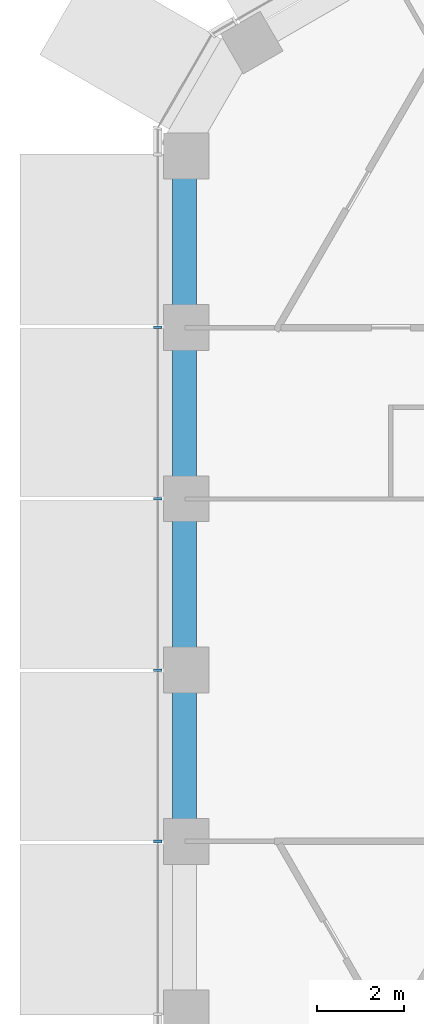
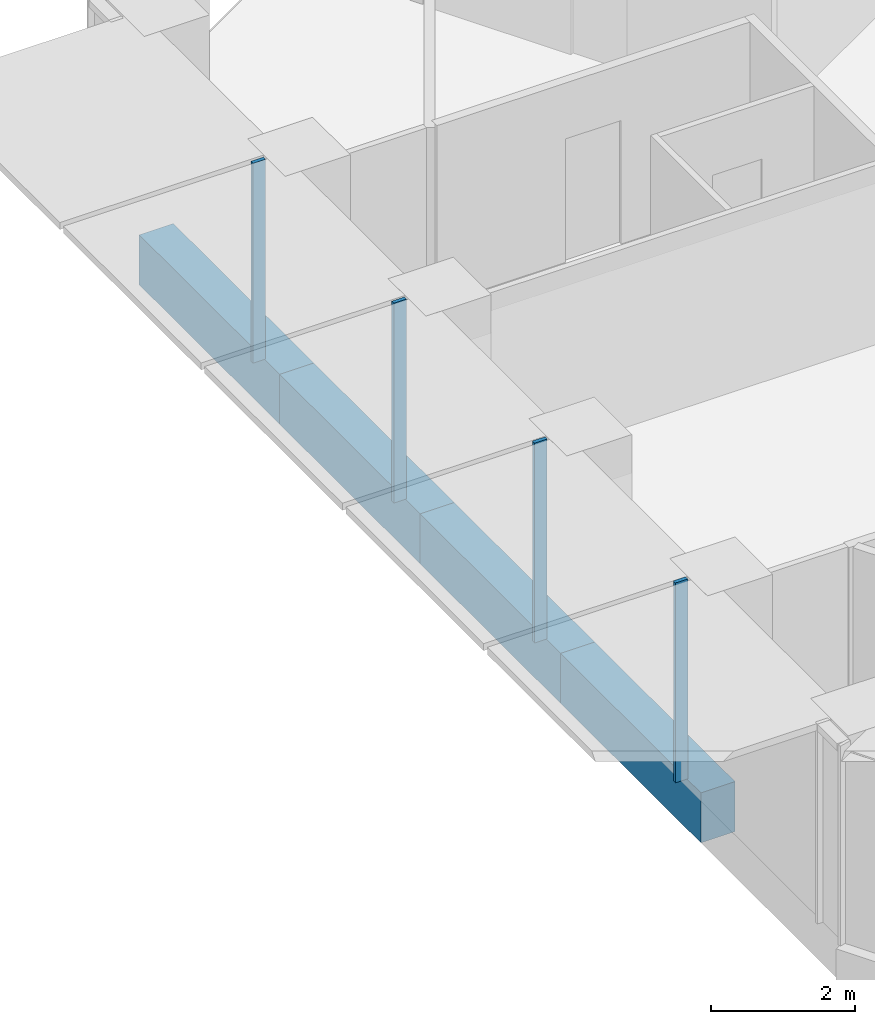
# One storey, part 3 of 18: 4 beams, 4 members, 1 element without a shape of its own.
"""IFC4 building model written with IfcOpenShell, lengths in metres."""

from ifc_helpers import new_model, si_unit, direction, frame, origin, origin_2d, place, context, subcontext, project, spatial, rectangle, extrude, material, layer, layer_set, material_profile, profile_set, type_object, element, aggregate, save


model = new_model("IFC4")

# Units and contexts
model_context = context("Model", 3, precision=1e-05, world=origin(), true_north=direction((0.0, 1.0)))
body_context = subcontext(model_context, "Body", "Model", "MODEL_VIEW")
ifc_project = project(units=[si_unit("LENGTHUNIT", "METRE"), si_unit("AREAUNIT", "SQUARE_METRE"), si_unit("VOLUMEUNIT", "CUBIC_METRE"), si_unit("PLANEANGLEUNIT", "RADIAN"), si_unit("MASSUNIT", "GRAM", prefix="KILO")], contexts=[model_context])

# Site, building, storey
site_placement = place(None, origin())
site = spatial("IfcSite", under=ifc_project, at=site_placement, CompositionType="ELEMENT")
building_placement = place(site_placement, origin())
building = spatial("IfcBuilding", under=site, at=building_placement, Name="Ayvan Gate Tower", CompositionType="ELEMENT")
storey_placement = place(building_placement, frame((0.0, 0.0, 110.300048828125)))
storey = spatial("IfcBuildingStorey", under=building, at=storey_placement, Name="L29", CompositionType="ELEMENT", Elevation=110.300048828125)

# Beams
ifc_material_1 = material(Name="Concrete C40/50", Category="concrete")
ifc_material_profile_1 = material_profile(ifc_material_1, rectangle(XDim=0.550048828125, YDim=0.85009765625, at=origin_2d()), Name="RC 550x850")
ifc_profile_set_1 = profile_set([ifc_material_profile_1], Name="Concrete C40/50")
beam_type = type_object("IfcBeamType", Name="Spandrel beam RC 550x850 C40/50", PredefinedType="BEAM", material=ifc_profile_set_1)
beam_1_placement = place(storey_placement, frame((-19.0244140625, 9.7841796875, -0.775146484375), z_axis=(0.0, -1.0, 0.0), x_axis=(1.0, 0.0, 0.0)))
element("IfcBeam", 1, at=beam_1_placement, inside=storey, type_object=beam_type, Name="SB-L29-19", PredefinedType="BEAM", context=body_context, shape_type="SweptSolid", body=[
    extrude(rectangle(XDim=0.550048828125, YDim=0.85009765625, at=origin_2d()), origin(), (0.0, 0.0, 1.0), 3.91357421875),
])
beam_2_placement = place(storey_placement, frame((-19.0244140625, 5.87060546875, -0.775146484375), z_axis=(0.0, -1.0, 0.0), x_axis=(1.0, 0.0, 0.0)))
element("IfcBeam", 2, at=beam_2_placement, inside=storey, type_object=beam_type, Name="SB-L29-20", PredefinedType="BEAM", context=body_context, shape_type="SweptSolid", body=[
    extrude(rectangle(XDim=0.550048828125, YDim=0.85009765625, at=origin_2d()), origin(), (0.0, 0.0, 1.0), 3.913818359375),
])
beam_3_placement = place(storey_placement, frame((-19.0244140625, 1.956787109375, -0.775146484375), z_axis=(0.0, -1.0, 0.0), x_axis=(1.0, 0.0, 0.0)))
element("IfcBeam", 3, at=beam_3_placement, inside=storey, type_object=beam_type, Name="SB-L29-21", PredefinedType="BEAM", context=body_context, shape_type="SweptSolid", body=[
    extrude(rectangle(XDim=0.550048828125, YDim=0.85009765625, at=origin_2d()), origin(), (0.0, 0.0, 1.0), 3.91357421875),
])
beam_4_placement = place(storey_placement, frame((-19.0244140625, -1.956787109375, -0.775146484375), z_axis=(0.0, -1.0, 0.0), x_axis=(1.0, 0.0, 0.0)))
element("IfcBeam", 4, at=beam_4_placement, inside=storey, type_object=beam_type, Name="SB-L29-22", PredefinedType="BEAM", context=body_context, shape_type="SweptSolid", body=[
    extrude(rectangle(XDim=0.550048828125, YDim=0.85009765625, at=origin_2d()), origin(), (0.0, 0.0, 1.0), 3.913818359375),
])

# Curtain wall, members
ifc_material_2 = material(Name="Bronze anodised aluminium", Category="aluminium")
ifc_layer = layer(ifc_material_2, 0.199951171875)
ifc_layer_set = layer_set([ifc_layer], Name="Bronze anodised aluminium")
curtain_wall_type = type_object("IfcCurtainWallType", Name="Stick curtain wall CW-1", PredefinedType="NOTDEFINED", material=ifc_layer_set)
curtain_wall_placement = place(storey_placement, origin())
curtain_wall = element("IfcCurtainWall", 5, at=curtain_wall_placement, inside=storey, type_object=curtain_wall_type, Name="Stick curtain wall CW-1 L29", PredefinedType="NOTDEFINED")
ifc_material_profile_2 = material_profile(ifc_material_2, rectangle(XDim=0.199951171875, YDim=0.06005859375, at=origin_2d()), Name="Stick curtain wall CW-1 mullion 200 x 60")
ifc_profile_set_2 = profile_set([ifc_material_profile_2], Name="Bronze anodised aluminium")
member_type = type_object("IfcMemberType", Name="Stick curtain wall CW-1 mullion 200 x 60", PredefinedType="MULLION", material=ifc_profile_set_2)
member_1_placement = place(storey_placement, frame((-19.6357421875, 5.88525390625, 0.0), z_axis=(0.0, 0.0, 1.0), x_axis=(-1.0, 0.0, 0.0)))
member_1 = element("IfcMember", 6, at=member_1_placement, type_object=member_type, Name="CW-1 mullion 2", PredefinedType="MULLION", context=body_context, shape_type="SweptSolid", body=[
    extrude(rectangle(XDim=0.199951171875, YDim=0.06005859375, at=origin_2d()), origin(), (0.0, 0.0, 1.0), 3.39990234375),
])
member_2_placement = place(storey_placement, frame((-19.6357421875, 1.96142578125, 0.0), z_axis=(0.0, 0.0, 1.0), x_axis=(-1.0, 0.0, 0.0)))
member_2 = element("IfcMember", 7, at=member_2_placement, type_object=member_type, Name="CW-1 mullion 3", PredefinedType="MULLION", context=body_context, shape_type="SweptSolid", body=[
    extrude(rectangle(XDim=0.199951171875, YDim=0.06005859375, at=origin_2d()), origin(), (0.0, 0.0, 1.0), 3.39990234375),
])
member_3_placement = place(storey_placement, frame((-19.6357421875, -1.961669921875, 0.0), z_axis=(0.0, 0.0, 1.0), x_axis=(-1.0, 0.0, 0.0)))
member_3 = element("IfcMember", 8, at=member_3_placement, type_object=member_type, Name="CW-1 mullion 4", PredefinedType="MULLION", context=body_context, shape_type="SweptSolid", body=[
    extrude(rectangle(XDim=0.199951171875, YDim=0.06005859375, at=origin_2d()), origin(), (0.0, 0.0, 1.0), 3.39990234375),
])
member_4_placement = place(storey_placement, frame((-19.6357421875, -5.8857421875, 0.0), z_axis=(0.0, 0.0, 1.0), x_axis=(-1.0, 0.0, 0.0)))
member_4 = element("IfcMember", 9, at=member_4_placement, type_object=member_type, Name="CW-1 mullion 5", PredefinedType="MULLION", context=body_context, shape_type="SweptSolid", body=[
    extrude(rectangle(XDim=0.199951171875, YDim=0.06005859375, at=origin_2d()), origin(), (0.0, 0.0, 1.0), 3.39990234375),
])
aggregate(curtain_wall, [member_1, member_2, member_3, member_4])

save(model, "model.ifc")
